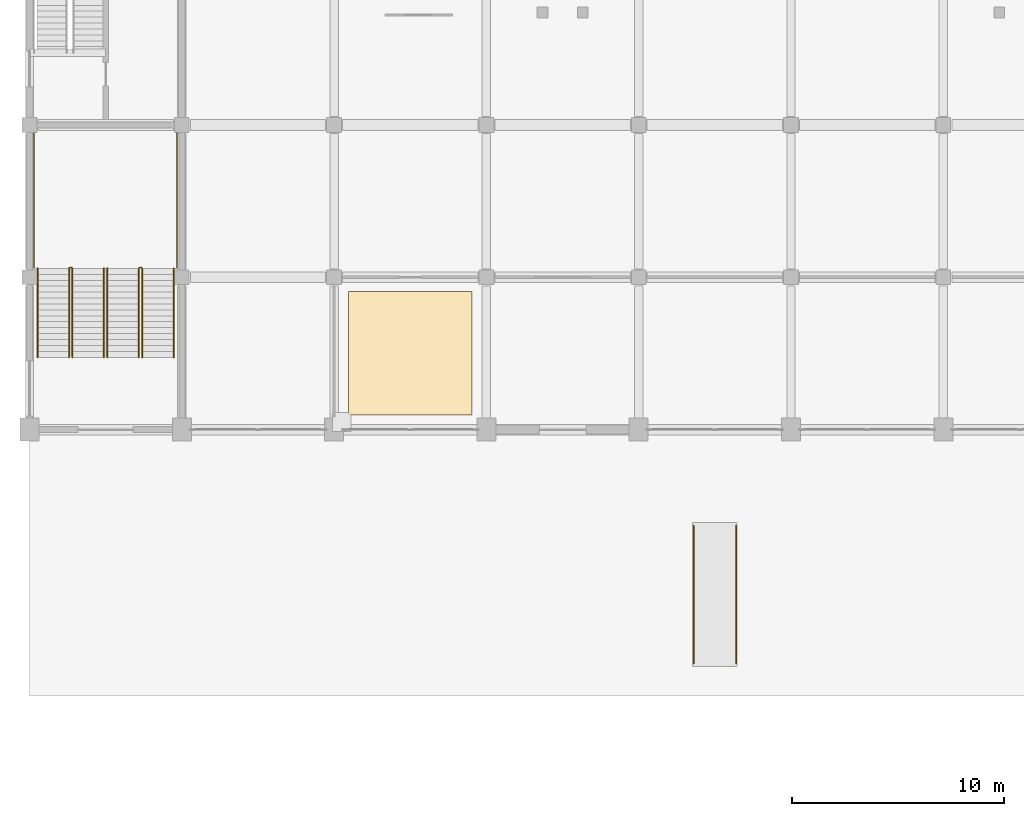
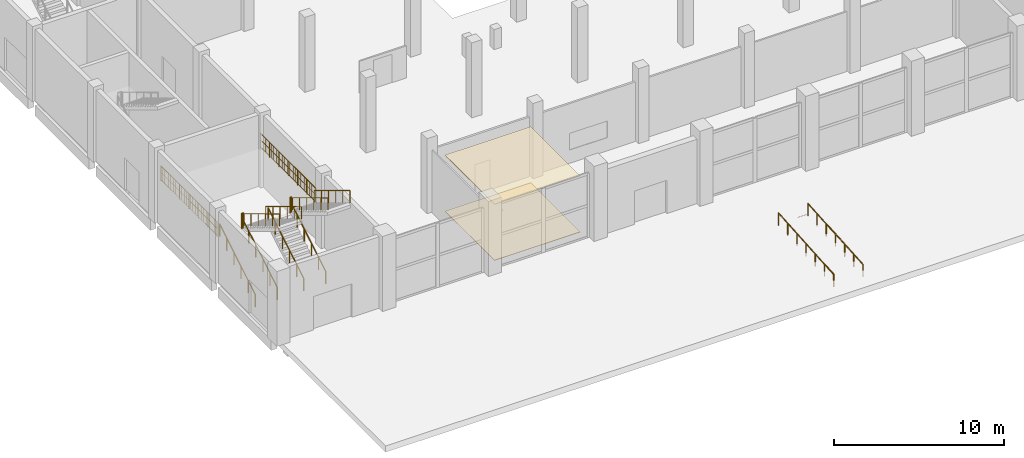
# One storey, part 57 of 70: 14 railings, 2 coverings.
"""IFC4 building model written with IfcOpenShell, lengths in metres."""

import ifcopenshell
import ifcopenshell.guid

model = None  # the IFC model being written
_history = None  # IfcOwnerHistory: only IFC2X3 demands one
_inside = {}  # id of a spatial element -> (the spatial element, [elements in it])
_under = {}  # id of a project, library or spatial element -> (it, [spatial elements below it])
_declared = {}  # id of a project -> (the project, [libraries it declares])
_typed = {}  # id of a type object -> (the type object, [elements of that type])
_made_of = {}  # id of a material, layer set ... -> (it, [elements and type objects made of it])


def new_model(schema):
    """Start an empty IFC model of exactly this schema.

    Asked for "IFC4X3", IfcOpenShell would pick the latest addendum, in which some entities
    have other attributes; the version numbers below select the first issue.
    IFC2X3 requires an IfcOwnerHistory on every rooted entity: one is made here for all.
    """
    global model, _history
    if schema == "IFC4X3":
        model = ifcopenshell.file(schema_version=(4, 3, 0, 0))
    else:
        model = ifcopenshell.file(schema=schema)
    _inside.clear()
    _under.clear()
    _declared.clear()
    _typed.clear()
    _made_of.clear()
    _history = None
    if model.schema == "IFC2X3":
        org = make("IfcOrganization", Name="unknown")
        user = make(
            "IfcPersonAndOrganization",
            ThePerson=make("IfcPerson", FamilyName="unknown"),
            TheOrganization=org,
        )
        app = make(
            "IfcApplication",
            ApplicationDeveloper=org,
            Version="unknown",
            ApplicationFullName="unknown",
            ApplicationIdentifier="unknown",
        )
        _history = make(
            "IfcOwnerHistory",
            OwningUser=user,
            OwningApplication=app,
            ChangeAction="ADDED",
            CreationDate=0,
        )
    return model


def make(cls, **values):
    """One entity of the class cls with the attributes given. An attribute that is None is left unset."""
    return model.create_entity(
        cls, **{name: value for name, value in values.items() if value is not None}
    )


def rooted(cls, **values):
    """An entity with a GlobalId (a new one), such as an element, a storey or a relation."""
    return make(cls, GlobalId=ifcopenshell.guid.new(), OwnerHistory=_history, **values)


def si_unit(unit_type, name, prefix=None):
    """IfcSIUnit, for example si_unit("LENGTHUNIT", "METRE", prefix="MILLI")."""
    return make("IfcSIUnit", UnitType=unit_type, Prefix=prefix, Name=name)


def assignment(units):
    """IfcUnitAssignment: the units of a project."""
    return None if units is None else make("IfcUnitAssignment", Units=units)


def point(xyz):
    """IfcCartesianPoint."""
    return None if xyz is None else make("IfcCartesianPoint", Coordinates=xyz)


def direction(xyz):
    """IfcDirection."""
    return None if xyz is None else make("IfcDirection", DirectionRatios=xyz)


def frame(location, z_axis=None, x_axis=None):
    """IfcAxis2Placement3D, a coordinate frame: its origin and axes. An axis left out is left unset."""
    return make(
        "IfcAxis2Placement3D",
        Location=point(location),
        Axis=direction(z_axis),
        RefDirection=direction(x_axis),
    )


def frame_2d(location, x_axis=None):
    """IfcAxis2Placement2D, a coordinate frame in the plane: its origin and x axis."""
    return make(
        "IfcAxis2Placement2D", Location=point(location), RefDirection=direction(x_axis)
    )


def origin():
    """The frame at (0, 0, 0) with its axes left unset."""
    return frame((0.0, 0.0, 0.0))


def origin_2d():
    """The frame at (0, 0) in the plane with its x axis left unset."""
    return frame_2d((0.0, 0.0))


def place(relative_to, where):
    """IfcLocalPlacement: puts the frame where relative to a parent placement (None: the world)."""
    return make(
        "IfcLocalPlacement", PlacementRelTo=relative_to, RelativePlacement=where
    )


def context(
    kind, dimensions, precision=None, world=None, true_north=None, identifier=None
):
    """IfcGeometricRepresentationContext, for example the 3D "Model" context."""
    return make(
        "IfcGeometricRepresentationContext",
        ContextIdentifier=identifier,
        ContextType=kind,
        CoordinateSpaceDimension=dimensions,
        Precision=precision,
        WorldCoordinateSystem=world,
        TrueNorth=true_north,
    )


def subcontext(parent, identifier, kind, view, scale=None):
    """IfcGeometricRepresentationSubContext, for example "Body" below "Model"."""
    return make(
        "IfcGeometricRepresentationSubContext",
        ContextIdentifier=identifier,
        ContextType=kind,
        ParentContext=parent,
        TargetScale=scale,
        TargetView=view,
    )


def project(units=None, contexts=None):
    """IfcProject with its units and contexts."""
    return rooted(
        "IfcProject",
        Name="project",
        RepresentationContexts=contexts,
        UnitsInContext=assignment(units),
    )


def spatial(cls, under=None, at=None, **own):
    """A site, building, storey or space (cls), placed at a placement, below another one or the project."""
    s = rooted(cls, ObjectPlacement=at, **own)
    if under is not None:
        _under.setdefault(under.id(), (under, []))[1].append(s)
    return s


def polyline(points):
    """IfcPolyline through the points."""
    return make("IfcPolyline", Points=[point(p) for p in points])


def profile(cls, at=None, kind="AREA", **sizes):
    """A parametric profile (cls). Its sizes go by their IFC names, for example OverallWidth=200.0."""
    return make(cls, ProfileType=kind, Position=at, **sizes)


def circle(**sizes):
    """IfcCircleProfileDef."""
    return profile("IfcCircleProfileDef", **sizes)


def outline(outer, holes=None, kind="AREA"):
    """IfcArbitraryClosedProfileDef: a profile drawn as a closed curve; with holes, ...WithVoids."""
    if holes is None:
        return make("IfcArbitraryClosedProfileDef", ProfileType=kind, OuterCurve=outer)
    return make(
        "IfcArbitraryProfileDefWithVoids",
        ProfileType=kind,
        OuterCurve=outer,
        InnerCurves=holes,
    )


def extrude(swept, where, along, depth):
    """IfcExtrudedAreaSolid: the profile swept, set in the frame where, extruded along a direction by depth."""
    return make(
        "IfcExtrudedAreaSolid",
        SweptArea=swept,
        Position=where,
        ExtrudedDirection=direction(along),
        Depth=depth,
    )


def shape(context_of_items, identifier, shape_type, items):
    """IfcShapeRepresentation: the items that make up one representation, for example the "Body"."""
    return make(
        "IfcShapeRepresentation",
        ContextOfItems=context_of_items,
        RepresentationIdentifier=identifier,
        RepresentationType=shape_type,
        Items=items,
    )


def material(Name=None, Category=None):
    """IfcMaterial."""
    return make("IfcMaterial", Name=Name, Category=Category)


def layer(
    of_material, thickness, ventilated=None, Name=None, Category=None, Priority=None
):
    """IfcMaterialLayer: one layer of a wall or slab, of a material (None: an air gap)."""
    return make(
        "IfcMaterialLayer",
        Material=of_material,
        LayerThickness=thickness,
        IsVentilated=ventilated,
        Name=Name,
        Category=Category,
        Priority=Priority,
    )


def layer_set(layers, Name=None):
    """IfcMaterialLayerSet."""
    return make("IfcMaterialLayerSet", MaterialLayers=layers, LayerSetName=Name)


def made_of(thing, what):
    """Note that an element or type object is made of a material, layer set ...; save() writes the relation."""
    if what is not None:
        _made_of.setdefault(what.id(), (what, []))[1].append(thing)
    return thing


def type_object(cls, material=None, **own):
    """A type object (cls), such as IfcWallType, which elements share."""
    return made_of(rooted(cls, **own), material)


def element(
    cls,
    number,
    at=None,
    inside=None,
    cuts=None,
    type_object=None,
    material=None,
    context=None,
    identifier="Body",
    shape_type=None,
    held_by="IfcProductDefinitionShape",
    body=None,
    shapes=None,
    **own,
):
    """One element of the class cls, such as IfcWall. Its Tag is "e" and its number.

    at: its placement. inside: the storey or other place that contains it. cuts: it is an
    opening in that element (IfcRelVoidsElement). A single representation is given by context,
    identifier, shape_type and body (its items); several are given by shapes. held_by: the class
    of the entity that holds the representations. save() writes the other relations.
    """
    e = rooted(cls, Tag="e%d" % number, ObjectPlacement=at, **own)
    if body is not None:
        shapes = [shape(context, identifier, shape_type, body)]
    if shapes is not None:
        e.Representation = make(held_by, Representations=shapes)
    if inside is not None:
        _inside.setdefault(inside.id(), (inside, []))[1].append(e)
    if cuts is not None:
        rooted(
            "IfcRelVoidsElement", RelatingBuildingElement=cuts, RelatedOpeningElement=e
        )
    if type_object is not None:
        _typed.setdefault(type_object.id(), (type_object, []))[1].append(e)
    return made_of(e, material)


def aggregate(whole, parts):
    """IfcRelAggregates: a whole, such as a stair, and the parts it consists of."""
    return rooted("IfcRelAggregates", RelatingObject=whole, RelatedObjects=parts)


def save(model, path):
    """Write the relations noted so far, then the file.

    IfcRelAggregates (storeys below a building ...), IfcRelContainedInSpatialStructure (elements
    in a storey), IfcRelDefinesByType, IfcRelAssociatesMaterial and IfcRelDeclares: one each for
    every whole, place, type object, material and project.
    """
    for whole, parts in _under.values():
        aggregate(whole, parts)
    for where, things in _inside.values():
        rooted(
            "IfcRelContainedInSpatialStructure",
            RelatedElements=things,
            RelatingStructure=where,
        )
    for kind, things in _typed.values():
        rooted("IfcRelDefinesByType", RelatedObjects=things, RelatingType=kind)
    for what, things in _made_of.values():
        rooted("IfcRelAssociatesMaterial", RelatedObjects=things, RelatingMaterial=what)
    for by, libraries in _declared.values():
        rooted("IfcRelDeclares", RelatingContext=by, RelatedDefinitions=libraries)
    model.write(path)


model = new_model("IFC4")

# Units and contexts
model_context = context("Model", 3, precision=1e-05, world=origin(), true_north=direction((0.0, 1.0)))
body_context = subcontext(model_context, "Body", "Model", "MODEL_VIEW")
ifc_project = project(units=[si_unit("LENGTHUNIT", "METRE"), si_unit("AREAUNIT", "SQUARE_METRE"), si_unit("VOLUMEUNIT", "CUBIC_METRE"), si_unit("PLANEANGLEUNIT", "RADIAN"), si_unit("MASSUNIT", "GRAM", prefix="KILO")], contexts=[model_context])

# Site, building, storey
site_placement = place(None, origin())
site = spatial("IfcSite", under=ifc_project, at=site_placement, CompositionType="ELEMENT")
building_placement = place(site_placement, origin())
building = spatial("IfcBuilding", under=site, at=building_placement, Name="Vesperath Aquatics Centre", CompositionType="ELEMENT")
storey_placement = place(building_placement, origin())
storey = spatial("IfcBuildingStorey", under=building, at=storey_placement, Name="L00", CompositionType="ELEMENT", Elevation=0.0)

# Coverings
ifc_material_1 = material(Name="Perforated moisture-resistant acoustic mineral-fibre ceiling", Category="gypsum")
ifc_layer_1 = layer(ifc_material_1, 0.044921875)
ifc_layer_set_1 = layer_set([ifc_layer_1], Name="Perforated moisture-resistant acoustic mineral-fibre ceiling")
covering_type_1 = type_object("IfcCoveringType", Name="CV-CLG01", PredefinedType="CEILING", material=ifc_layer_set_1)
covering_1_placement = place(storey_placement, frame((0.0, 0.0, 4.02490234375)))
element("IfcCovering", 1, at=covering_1_placement, inside=storey, type_object=covering_type_1, Name="Acoustic Suspended Ceiling CLG1 L00_CALL_RM", PredefinedType="CEILING", context=body_context, shape_type="SweptSolid", body=[
    extrude(outline(polyline([(15.080078125, 15.080078125), (20.919921875, 15.080078125), (20.919921875, 20.919921875), (15.080078125, 20.919921875), (15.080078125, 15.080078125)])), origin(), (0.0, 0.0, 1.0), 0.045166015625),
])
ifc_material_2 = material(Name="Slip-resistant vitrified ceramic and terrazzo flooring", Category="ceramic")
ifc_layer_2 = layer(ifc_material_2, 0.030029296875)
ifc_layer_set_2 = layer_set([ifc_layer_2], Name="Slip-resistant vitrified ceramic and terrazzo flooring")
covering_type_2 = type_object("IfcCoveringType", Name="CV-FLR01", PredefinedType="FLOORING", material=ifc_layer_set_2)
covering_2_placement = place(storey_placement, origin())
element("IfcCovering", 2, at=covering_2_placement, inside=storey, type_object=covering_type_2, Name="Slip-Resistant Floor Finish FLR1 L00_CALL_RM", PredefinedType="FLOORING", context=body_context, shape_type="SweptSolid", body=[
    extrude(outline(polyline([(15.080078125, 15.080078125), (20.919921875, 15.080078125), (20.919921875, 20.919921875), (15.080078125, 20.919921875), (15.080078125, 15.080078125)])), origin(), (0.0, 0.0, 1.0), 0.030029296875),
])

# Railings
ifc_material_3 = material(Name="Powder-coated galvanized steel safety guard", Category="steel")
railing_type_1 = type_object("IfcRailingType", Name="RL-GRD01", PredefinedType="GUARDRAIL", material=ifc_material_3)
railing_1_placement = place(storey_placement, frame((1.89990234375, 22.06005859375, 2.699951171875)))
element("IfcRailing", 3, at=railing_1_placement, inside=storey, type_object=railing_type_1, Name="Stair ST10A Half-Landing Slot Guard GR02 L00", PredefinedType="GUARDRAIL", context=body_context, shape_type="SweptSolid", body=[
    extrude(circle(Radius=0.02392578125, at=origin_2d()), frame((0.0, 0.0, 1.0859375), z_axis=(1.0, 0.0, 0.0), x_axis=(0.0, 1.0, 0.0)), (0.0, 0.0, 1.0), 0.10009765625),
    extrude(circle(Radius=0.01611328125, at=origin_2d()), frame((0.0, 0.0, 0.10009765625), z_axis=(1.0, 0.0, 0.0), x_axis=(0.0, 1.0, 0.0)), (0.0, 0.0, 1.0), 0.10009765625),
    extrude(circle(Radius=0.01611328125, at=origin_2d()), frame((0.0, 0.0, 0.610595703125), z_axis=(1.0, 0.0, 0.0), x_axis=(0.0, 1.0, 0.0)), (0.0, 0.0, 1.0), 0.10009765625),
    extrude(circle(Radius=0.009033203125, at=origin_2d()), frame((0.050048828125, 0.0, 0.10009765625)), (0.0, 0.0, 1.0), 0.9619140625),
    extrude(circle(Radius=0.02197265625, at=origin_2d()), origin(), (0.0, 0.0, 1.0), 1.0859375),
    extrude(circle(Radius=0.02197265625, at=origin_2d()), frame((0.10009765625, 0.0, 0.0)), (0.0, 0.0, 1.0), 1.0859375),
])
railing_2_placement = place(storey_placement, frame((0.219970703125, 22.06005859375, 2.699951171875)))
element("IfcRailing", 4, at=railing_2_placement, inside=storey, type_object=railing_type_1, Name="Stair ST10A Half-Landing Wall Guard GR02 L00", PredefinedType="GUARDRAIL", context=body_context, shape_type="SweptSolid", body=[
    extrude(circle(Radius=0.02392578125, at=origin_2d()), frame((0.0, 0.0, 1.0859375), z_axis=(0.0, 1.0, 0.0), x_axis=(-1.0, 0.0, 0.0)), (0.0, 0.0, 1.0), 6.60986328125),
    extrude(circle(Radius=0.01611328125, at=origin_2d()), frame((0.0, 0.0, 0.10009765625), z_axis=(0.0, 1.0, 0.0), x_axis=(-1.0, 0.0, 0.0)), (0.0, 0.0, 1.0), 6.60986328125),
    extrude(circle(Radius=0.01611328125, at=origin_2d()), frame((0.0, 0.0, 0.610595703125), z_axis=(0.0, 1.0, 0.0), x_axis=(-1.0, 0.0, 0.0)), (0.0, 0.0, 1.0), 6.60986328125),
    extrude(circle(Radius=0.009033203125, at=origin_2d()), frame((0.0, 0.1083984375, 0.10009765625)), (0.0, 0.0, 1.0), 0.9619140625),
    extrude(circle(Radius=0.009033203125, at=origin_2d()), frame((0.0, 0.3251953125, 0.10009765625)), (0.0, 0.0, 1.0), 0.9619140625),
    extrude(circle(Radius=0.009033203125, at=origin_2d()), frame((0.0, 0.541748046875, 0.10009765625)), (0.0, 0.0, 1.0), 0.9619140625),
    extrude(circle(Radius=0.009033203125, at=origin_2d()), frame((0.0, 0.758544921875, 0.10009765625)), (0.0, 0.0, 1.0), 0.9619140625),
    extrude(circle(Radius=0.009033203125, at=origin_2d()), frame((0.0, 0.975341796875, 0.10009765625)), (0.0, 0.0, 1.0), 0.9619140625),
    extrude(circle(Radius=0.009033203125, at=origin_2d()), frame((0.0, 1.19189453125, 0.10009765625)), (0.0, 0.0, 1.0), 0.9619140625),
    extrude(circle(Radius=0.009033203125, at=origin_2d()), frame((0.0, 1.40869140625, 0.10009765625)), (0.0, 0.0, 1.0), 0.9619140625),
    extrude(circle(Radius=0.009033203125, at=origin_2d()), frame((0.0, 1.62548828125, 0.10009765625)), (0.0, 0.0, 1.0), 0.9619140625),
    extrude(circle(Radius=0.009033203125, at=origin_2d()), frame((0.0, 1.842041015625, 0.10009765625)), (0.0, 0.0, 1.0), 0.9619140625),
    extrude(circle(Radius=0.009033203125, at=origin_2d()), frame((0.0, 2.058837890625, 0.10009765625)), (0.0, 0.0, 1.0), 0.9619140625),
    extrude(circle(Radius=0.009033203125, at=origin_2d()), frame((0.0, 2.275634765625, 0.10009765625)), (0.0, 0.0, 1.0), 0.9619140625),
    extrude(circle(Radius=0.009033203125, at=origin_2d()), frame((0.0, 2.4921875, 0.10009765625)), (0.0, 0.0, 1.0), 0.9619140625),
    extrude(circle(Radius=0.009033203125, at=origin_2d()), frame((0.0, 2.708984375, 0.10009765625)), (0.0, 0.0, 1.0), 0.9619140625),
    extrude(circle(Radius=0.009033203125, at=origin_2d()), frame((0.0, 2.92578125, 0.10009765625)), (0.0, 0.0, 1.0), 0.9619140625),
    extrude(circle(Radius=0.009033203125, at=origin_2d()), frame((0.0, 3.142333984375, 0.10009765625)), (0.0, 0.0, 1.0), 0.9619140625),
    extrude(circle(Radius=0.009033203125, at=origin_2d()), frame((0.0, 3.359130859375, 0.10009765625)), (0.0, 0.0, 1.0), 0.9619140625),
    extrude(circle(Radius=0.009033203125, at=origin_2d()), frame((0.0, 3.575927734375, 0.10009765625)), (0.0, 0.0, 1.0), 0.9619140625),
    extrude(circle(Radius=0.009033203125, at=origin_2d()), frame((0.0, 3.79248046875, 0.10009765625)), (0.0, 0.0, 1.0), 0.9619140625),
    extrude(circle(Radius=0.009033203125, at=origin_2d()), frame((0.0, 4.00927734375, 0.10009765625)), (0.0, 0.0, 1.0), 0.9619140625),
    extrude(circle(Radius=0.009033203125, at=origin_2d()), frame((0.0, 4.22607421875, 0.10009765625)), (0.0, 0.0, 1.0), 0.9619140625),
    extrude(circle(Radius=0.009033203125, at=origin_2d()), frame((0.0, 4.442626953125, 0.10009765625)), (0.0, 0.0, 1.0), 0.9619140625),
    extrude(circle(Radius=0.009033203125, at=origin_2d()), frame((0.0, 4.659423828125, 0.10009765625)), (0.0, 0.0, 1.0), 0.9619140625),
    extrude(circle(Radius=0.009033203125, at=origin_2d()), frame((0.0, 4.876220703125, 0.10009765625)), (0.0, 0.0, 1.0), 0.9619140625),
    extrude(circle(Radius=0.009033203125, at=origin_2d()), frame((0.0, 5.0927734375, 0.10009765625)), (0.0, 0.0, 1.0), 0.9619140625),
    extrude(circle(Radius=0.009033203125, at=origin_2d()), frame((0.0, 5.3095703125, 0.10009765625)), (0.0, 0.0, 1.0), 0.9619140625),
    extrude(circle(Radius=0.009033203125, at=origin_2d()), frame((0.0, 5.5263671875, 0.10009765625)), (0.0, 0.0, 1.0), 0.9619140625),
    extrude(circle(Radius=0.009033203125, at=origin_2d()), frame((0.0, 5.742919921875, 0.10009765625)), (0.0, 0.0, 1.0), 0.9619140625),
    extrude(circle(Radius=0.009033203125, at=origin_2d()), frame((0.0, 5.959716796875, 0.10009765625)), (0.0, 0.0, 1.0), 0.9619140625),
    extrude(circle(Radius=0.009033203125, at=origin_2d()), frame((0.0, 6.176513671875, 0.10009765625)), (0.0, 0.0, 1.0), 0.9619140625),
    extrude(circle(Radius=0.009033203125, at=origin_2d()), frame((0.0, 6.39306640625, 0.10009765625)), (0.0, 0.0, 1.0), 0.9619140625),
    extrude(circle(Radius=0.02197265625, at=origin_2d()), origin(), (0.0, 0.0, 1.0), 1.0859375),
    extrude(circle(Radius=0.02197265625, at=origin_2d()), frame((0.0, 1.1015625, 0.0)), (0.0, 0.0, 1.0), 1.0859375),
    extrude(circle(Radius=0.02197265625, at=origin_2d()), frame((0.0, 2.203369140625, 0.0)), (0.0, 0.0, 1.0), 1.0859375),
    extrude(circle(Radius=0.02197265625, at=origin_2d()), frame((0.0, 3.304931640625, 0.0)), (0.0, 0.0, 1.0), 1.0859375),
    extrude(circle(Radius=0.02197265625, at=origin_2d()), frame((0.0, 4.406494140625, 0.0)), (0.0, 0.0, 1.0), 1.0859375),
    extrude(circle(Radius=0.02197265625, at=origin_2d()), frame((0.0, 5.50830078125, 0.0)), (0.0, 0.0, 1.0), 1.0859375),
    extrude(circle(Radius=0.02197265625, at=origin_2d()), frame((0.0, 6.60986328125, 0.0)), (0.0, 0.0, 1.0), 1.0859375),
])
railing_3_placement = place(storey_placement, frame((5.199951171875, 22.06005859375, 2.699951171875)))
element("IfcRailing", 5, at=railing_3_placement, inside=storey, type_object=railing_type_1, Name="Stair ST10B Half-Landing Slot Guard GR02 L00", PredefinedType="GUARDRAIL", context=body_context, shape_type="SweptSolid", body=[
    extrude(circle(Radius=0.02392578125, at=origin_2d()), frame((0.0, 0.0, 1.0859375), z_axis=(1.0, 0.0, 0.0), x_axis=(0.0, 1.0, 0.0)), (0.0, 0.0, 1.0), 0.10009765625),
    extrude(circle(Radius=0.01611328125, at=origin_2d()), frame((0.0, 0.0, 0.10009765625), z_axis=(1.0, 0.0, 0.0), x_axis=(0.0, 1.0, 0.0)), (0.0, 0.0, 1.0), 0.10009765625),
    extrude(circle(Radius=0.01611328125, at=origin_2d()), frame((0.0, 0.0, 0.610595703125), z_axis=(1.0, 0.0, 0.0), x_axis=(0.0, 1.0, 0.0)), (0.0, 0.0, 1.0), 0.10009765625),
    extrude(circle(Radius=0.009033203125, at=origin_2d()), frame((0.050048828125, 0.0, 0.10009765625)), (0.0, 0.0, 1.0), 0.9619140625),
    extrude(circle(Radius=0.02197265625, at=origin_2d()), origin(), (0.0, 0.0, 1.0), 1.0859375),
    extrude(circle(Radius=0.02197265625, at=origin_2d()), frame((0.10009765625, 0.0, 0.0)), (0.0, 0.0, 1.0), 1.0859375),
])
railing_4_placement = place(storey_placement, frame((6.97998046875, 22.06005859375, 2.699951171875)))
element("IfcRailing", 6, at=railing_4_placement, inside=storey, type_object=railing_type_1, Name="Stair ST10B Half-Landing Wall Guard GR02 L00", PredefinedType="GUARDRAIL", context=body_context, shape_type="SweptSolid", body=[
    extrude(circle(Radius=0.02392578125, at=origin_2d()), frame((0.0, 0.0, 1.0859375), z_axis=(0.0, 1.0, 0.0), x_axis=(-1.0, 0.0, 0.0)), (0.0, 0.0, 1.0), 6.60986328125),
    extrude(circle(Radius=0.01611328125, at=origin_2d()), frame((0.0, 0.0, 0.10009765625), z_axis=(0.0, 1.0, 0.0), x_axis=(-1.0, 0.0, 0.0)), (0.0, 0.0, 1.0), 6.60986328125),
    extrude(circle(Radius=0.01611328125, at=origin_2d()), frame((0.0, 0.0, 0.610595703125), z_axis=(0.0, 1.0, 0.0), x_axis=(-1.0, 0.0, 0.0)), (0.0, 0.0, 1.0), 6.60986328125),
    extrude(circle(Radius=0.009033203125, at=origin_2d()), frame((0.0, 0.1083984375, 0.10009765625)), (0.0, 0.0, 1.0), 0.9619140625),
    extrude(circle(Radius=0.009033203125, at=origin_2d()), frame((0.0, 0.3251953125, 0.10009765625)), (0.0, 0.0, 1.0), 0.9619140625),
    extrude(circle(Radius=0.009033203125, at=origin_2d()), frame((0.0, 0.541748046875, 0.10009765625)), (0.0, 0.0, 1.0), 0.9619140625),
    extrude(circle(Radius=0.009033203125, at=origin_2d()), frame((0.0, 0.758544921875, 0.10009765625)), (0.0, 0.0, 1.0), 0.9619140625),
    extrude(circle(Radius=0.009033203125, at=origin_2d()), frame((0.0, 0.975341796875, 0.10009765625)), (0.0, 0.0, 1.0), 0.9619140625),
    extrude(circle(Radius=0.009033203125, at=origin_2d()), frame((0.0, 1.19189453125, 0.10009765625)), (0.0, 0.0, 1.0), 0.9619140625),
    extrude(circle(Radius=0.009033203125, at=origin_2d()), frame((0.0, 1.40869140625, 0.10009765625)), (0.0, 0.0, 1.0), 0.9619140625),
    extrude(circle(Radius=0.009033203125, at=origin_2d()), frame((0.0, 1.62548828125, 0.10009765625)), (0.0, 0.0, 1.0), 0.9619140625),
    extrude(circle(Radius=0.009033203125, at=origin_2d()), frame((0.0, 1.842041015625, 0.10009765625)), (0.0, 0.0, 1.0), 0.9619140625),
    extrude(circle(Radius=0.009033203125, at=origin_2d()), frame((0.0, 2.058837890625, 0.10009765625)), (0.0, 0.0, 1.0), 0.9619140625),
    extrude(circle(Radius=0.009033203125, at=origin_2d()), frame((0.0, 2.275634765625, 0.10009765625)), (0.0, 0.0, 1.0), 0.9619140625),
    extrude(circle(Radius=0.009033203125, at=origin_2d()), frame((0.0, 2.4921875, 0.10009765625)), (0.0, 0.0, 1.0), 0.9619140625),
    extrude(circle(Radius=0.009033203125, at=origin_2d()), frame((0.0, 2.708984375, 0.10009765625)), (0.0, 0.0, 1.0), 0.9619140625),
    extrude(circle(Radius=0.009033203125, at=origin_2d()), frame((0.0, 2.92578125, 0.10009765625)), (0.0, 0.0, 1.0), 0.9619140625),
    extrude(circle(Radius=0.009033203125, at=origin_2d()), frame((0.0, 3.142333984375, 0.10009765625)), (0.0, 0.0, 1.0), 0.9619140625),
    extrude(circle(Radius=0.009033203125, at=origin_2d()), frame((0.0, 3.359130859375, 0.10009765625)), (0.0, 0.0, 1.0), 0.9619140625),
    extrude(circle(Radius=0.009033203125, at=origin_2d()), frame((0.0, 3.575927734375, 0.10009765625)), (0.0, 0.0, 1.0), 0.9619140625),
    extrude(circle(Radius=0.009033203125, at=origin_2d()), frame((0.0, 3.79248046875, 0.10009765625)), (0.0, 0.0, 1.0), 0.9619140625),
    extrude(circle(Radius=0.009033203125, at=origin_2d()), frame((0.0, 4.00927734375, 0.10009765625)), (0.0, 0.0, 1.0), 0.9619140625),
    extrude(circle(Radius=0.009033203125, at=origin_2d()), frame((0.0, 4.22607421875, 0.10009765625)), (0.0, 0.0, 1.0), 0.9619140625),
    extrude(circle(Radius=0.009033203125, at=origin_2d()), frame((0.0, 4.442626953125, 0.10009765625)), (0.0, 0.0, 1.0), 0.9619140625),
    extrude(circle(Radius=0.009033203125, at=origin_2d()), frame((0.0, 4.659423828125, 0.10009765625)), (0.0, 0.0, 1.0), 0.9619140625),
    extrude(circle(Radius=0.009033203125, at=origin_2d()), frame((0.0, 4.876220703125, 0.10009765625)), (0.0, 0.0, 1.0), 0.9619140625),
    extrude(circle(Radius=0.009033203125, at=origin_2d()), frame((0.0, 5.0927734375, 0.10009765625)), (0.0, 0.0, 1.0), 0.9619140625),
    extrude(circle(Radius=0.009033203125, at=origin_2d()), frame((0.0, 5.3095703125, 0.10009765625)), (0.0, 0.0, 1.0), 0.9619140625),
    extrude(circle(Radius=0.009033203125, at=origin_2d()), frame((0.0, 5.5263671875, 0.10009765625)), (0.0, 0.0, 1.0), 0.9619140625),
    extrude(circle(Radius=0.009033203125, at=origin_2d()), frame((0.0, 5.742919921875, 0.10009765625)), (0.0, 0.0, 1.0), 0.9619140625),
    extrude(circle(Radius=0.009033203125, at=origin_2d()), frame((0.0, 5.959716796875, 0.10009765625)), (0.0, 0.0, 1.0), 0.9619140625),
    extrude(circle(Radius=0.009033203125, at=origin_2d()), frame((0.0, 6.176513671875, 0.10009765625)), (0.0, 0.0, 1.0), 0.9619140625),
    extrude(circle(Radius=0.009033203125, at=origin_2d()), frame((0.0, 6.39306640625, 0.10009765625)), (0.0, 0.0, 1.0), 0.9619140625),
    extrude(circle(Radius=0.02197265625, at=origin_2d()), origin(), (0.0, 0.0, 1.0), 1.0859375),
    extrude(circle(Radius=0.02197265625, at=origin_2d()), frame((0.0, 1.1015625, 0.0)), (0.0, 0.0, 1.0), 1.0859375),
    extrude(circle(Radius=0.02197265625, at=origin_2d()), frame((0.0, 2.203369140625, 0.0)), (0.0, 0.0, 1.0), 1.0859375),
    extrude(circle(Radius=0.02197265625, at=origin_2d()), frame((0.0, 3.304931640625, 0.0)), (0.0, 0.0, 1.0), 1.0859375),
    extrude(circle(Radius=0.02197265625, at=origin_2d()), frame((0.0, 4.406494140625, 0.0)), (0.0, 0.0, 1.0), 1.0859375),
    extrude(circle(Radius=0.02197265625, at=origin_2d()), frame((0.0, 5.50830078125, 0.0)), (0.0, 0.0, 1.0), 1.0859375),
    extrude(circle(Radius=0.02197265625, at=origin_2d()), frame((0.0, 6.60986328125, 0.0)), (0.0, 0.0, 1.0), 1.0859375),
])
ifc_material_4 = material(Name="Brushed stainless steel tubular handrail", Category="steel")
railing_type_2 = type_object("IfcRailingType", Name="RL-HND01", PredefinedType="HANDRAIL", material=ifc_material_4)
railing_5_placement = place(storey_placement, frame((1.8701171875, 17.820068359375, 0.168701171875)))
element("IfcRailing", 7, at=railing_5_placement, inside=storey, type_object=railing_type_2, Name="Stair ST10A Flight 1 Handrail HR01 L00", PredefinedType="HANDRAIL", context=body_context, shape_type="SweptSolid", body=[
    extrude(circle(Radius=0.02392578125, at=origin_2d()), frame((0.0, 0.0, 0.8759765625), z_axis=(0.0, 0.856476492594, 0.516186030065), x_axis=(-1.0, 0.0, 0.0)), (0.0, 0.0, 1.0), 4.90380859375),
    extrude(circle(Radius=0.02197265625, at=origin_2d()), origin(), (0.0, 0.0, 1.0), 0.8759765625),
    extrude(circle(Radius=0.02197265625, at=origin_2d()), frame((0.0, 0.840087890625, 0.50634765625)), (0.0, 0.0, 1.0), 0.8759765625),
    extrude(circle(Radius=0.02197265625, at=origin_2d()), frame((0.0, 1.679931640625, 1.012451171875)), (0.0, 0.0, 1.0), 0.8759765625),
    extrude(circle(Radius=0.02197265625, at=origin_2d()), frame((0.0, 2.52001953125, 1.518798828125)), (0.0, 0.0, 1.0), 0.8759765625),
    extrude(circle(Radius=0.02197265625, at=origin_2d()), frame((0.0, 3.35986328125, 2.02490234375)), (0.0, 0.0, 1.0), 0.8759765625),
    extrude(circle(Radius=0.02197265625, at=origin_2d()), frame((0.0, 4.199951171875, 2.53125)), (0.0, 0.0, 1.0), 0.8759765625),
])
railing_6_placement = place(storey_placement, frame((2.030029296875, 22.02001953125, 2.86865234375)))
element("IfcRailing", 8, at=railing_6_placement, inside=storey, type_object=railing_type_2, Name="Stair ST10A Flight 2 Handrail HR01 L00", PredefinedType="HANDRAIL", context=body_context, shape_type="SweptSolid", body=[
    extrude(circle(Radius=0.02392578125, at=origin_2d()), frame((0.0, 0.0, 0.8759765625), z_axis=(0.0, -0.856476492594, 0.516186030065), x_axis=(1.0, 0.0, 0.0)), (0.0, 0.0, 1.0), 4.90380859375),
    extrude(circle(Radius=0.02197265625, at=origin_2d()), origin(), (0.0, 0.0, 1.0), 0.8759765625),
    extrude(circle(Radius=0.02197265625, at=origin_2d()), frame((0.0, -0.840087890625, 0.50634765625)), (0.0, 0.0, 1.0), 0.8759765625),
    extrude(circle(Radius=0.02197265625, at=origin_2d()), frame((0.0, -1.679931640625, 1.012451171875)), (0.0, 0.0, 1.0), 0.8759765625),
    extrude(circle(Radius=0.02197265625, at=origin_2d()), frame((0.0, -2.52001953125, 1.518798828125)), (0.0, 0.0, 1.0), 0.8759765625),
    extrude(circle(Radius=0.02197265625, at=origin_2d()), frame((0.0, -3.35986328125, 2.02490234375)), (0.0, 0.0, 1.0), 0.8759765625),
    extrude(circle(Radius=0.02197265625, at=origin_2d()), frame((0.0, -4.199951171875, 2.53125)), (0.0, 0.0, 1.0), 0.8759765625),
])
railing_7_placement = place(storey_placement, frame((0.3798828125, 17.820068359375, 0.168701171875)))
element("IfcRailing", 9, at=railing_7_placement, inside=storey, type_object=railing_type_2, Name="Stair ST10A Flight 1 Handrail HR01 L00", PredefinedType="HANDRAIL", context=body_context, shape_type="SweptSolid", body=[
    extrude(circle(Radius=0.02392578125, at=origin_2d()), frame((0.0, 0.0, 0.8759765625), z_axis=(0.0, 0.856476492594, 0.516186030065), x_axis=(-1.0, 0.0, 0.0)), (0.0, 0.0, 1.0), 4.90380859375),
    extrude(circle(Radius=0.02197265625, at=origin_2d()), origin(), (0.0, 0.0, 1.0), 0.8759765625),
    extrude(circle(Radius=0.02197265625, at=origin_2d()), frame((0.0, 0.840087890625, 0.50634765625)), (0.0, 0.0, 1.0), 0.8759765625),
    extrude(circle(Radius=0.02197265625, at=origin_2d()), frame((0.0, 1.679931640625, 1.012451171875)), (0.0, 0.0, 1.0), 0.8759765625),
    extrude(circle(Radius=0.02197265625, at=origin_2d()), frame((0.0, 2.52001953125, 1.518798828125)), (0.0, 0.0, 1.0), 0.8759765625),
    extrude(circle(Radius=0.02197265625, at=origin_2d()), frame((0.0, 3.35986328125, 2.02490234375)), (0.0, 0.0, 1.0), 0.8759765625),
    extrude(circle(Radius=0.02197265625, at=origin_2d()), frame((0.0, 4.199951171875, 2.53125)), (0.0, 0.0, 1.0), 0.8759765625),
])
railing_8_placement = place(storey_placement, frame((3.52001953125, 22.02001953125, 2.86865234375)))
element("IfcRailing", 10, at=railing_8_placement, inside=storey, type_object=railing_type_2, Name="Stair ST10A Flight 2 Handrail HR01 L00", PredefinedType="HANDRAIL", context=body_context, shape_type="SweptSolid", body=[
    extrude(circle(Radius=0.02392578125, at=origin_2d()), frame((0.0, 0.0, 0.8759765625), z_axis=(0.0, -0.856476492594, 0.516186030065), x_axis=(1.0, 0.0, 0.0)), (0.0, 0.0, 1.0), 4.90380859375),
    extrude(circle(Radius=0.02197265625, at=origin_2d()), origin(), (0.0, 0.0, 1.0), 0.8759765625),
    extrude(circle(Radius=0.02197265625, at=origin_2d()), frame((0.0, -0.840087890625, 0.50634765625)), (0.0, 0.0, 1.0), 0.8759765625),
    extrude(circle(Radius=0.02197265625, at=origin_2d()), frame((0.0, -1.679931640625, 1.012451171875)), (0.0, 0.0, 1.0), 0.8759765625),
    extrude(circle(Radius=0.02197265625, at=origin_2d()), frame((0.0, -2.52001953125, 1.518798828125)), (0.0, 0.0, 1.0), 0.8759765625),
    extrude(circle(Radius=0.02197265625, at=origin_2d()), frame((0.0, -3.35986328125, 2.02490234375)), (0.0, 0.0, 1.0), 0.8759765625),
    extrude(circle(Radius=0.02197265625, at=origin_2d()), frame((0.0, -4.199951171875, 2.53125)), (0.0, 0.0, 1.0), 0.8759765625),
])
railing_9_placement = place(storey_placement, frame((5.169921875, 17.820068359375, 0.168701171875)))
element("IfcRailing", 11, at=railing_9_placement, inside=storey, type_object=railing_type_2, Name="Stair ST10B Flight 1 Handrail HR01 L00", PredefinedType="HANDRAIL", context=body_context, shape_type="SweptSolid", body=[
    extrude(circle(Radius=0.02392578125, at=origin_2d()), frame((0.0, 0.0, 0.8759765625), z_axis=(0.0, 0.856476492594, 0.516186030065), x_axis=(-1.0, 0.0, 0.0)), (0.0, 0.0, 1.0), 4.90380859375),
    extrude(circle(Radius=0.02197265625, at=origin_2d()), origin(), (0.0, 0.0, 1.0), 0.8759765625),
    extrude(circle(Radius=0.02197265625, at=origin_2d()), frame((0.0, 0.840087890625, 0.50634765625)), (0.0, 0.0, 1.0), 0.8759765625),
    extrude(circle(Radius=0.02197265625, at=origin_2d()), frame((0.0, 1.679931640625, 1.012451171875)), (0.0, 0.0, 1.0), 0.8759765625),
    extrude(circle(Radius=0.02197265625, at=origin_2d()), frame((0.0, 2.52001953125, 1.518798828125)), (0.0, 0.0, 1.0), 0.8759765625),
    extrude(circle(Radius=0.02197265625, at=origin_2d()), frame((0.0, 3.35986328125, 2.02490234375)), (0.0, 0.0, 1.0), 0.8759765625),
    extrude(circle(Radius=0.02197265625, at=origin_2d()), frame((0.0, 4.199951171875, 2.53125)), (0.0, 0.0, 1.0), 0.8759765625),
])
railing_10_placement = place(storey_placement, frame((5.330078125, 22.02001953125, 2.86865234375)))
element("IfcRailing", 12, at=railing_10_placement, inside=storey, type_object=railing_type_2, Name="Stair ST10B Flight 2 Handrail HR01 L00", PredefinedType="HANDRAIL", context=body_context, shape_type="SweptSolid", body=[
    extrude(circle(Radius=0.02392578125, at=origin_2d()), frame((0.0, 0.0, 0.8759765625), z_axis=(0.0, -0.856476492594, 0.516186030065), x_axis=(1.0, 0.0, 0.0)), (0.0, 0.0, 1.0), 4.90380859375),
    extrude(circle(Radius=0.02197265625, at=origin_2d()), origin(), (0.0, 0.0, 1.0), 0.8759765625),
    extrude(circle(Radius=0.02197265625, at=origin_2d()), frame((0.0, -0.840087890625, 0.50634765625)), (0.0, 0.0, 1.0), 0.8759765625),
    extrude(circle(Radius=0.02197265625, at=origin_2d()), frame((0.0, -1.679931640625, 1.012451171875)), (0.0, 0.0, 1.0), 0.8759765625),
    extrude(circle(Radius=0.02197265625, at=origin_2d()), frame((0.0, -2.52001953125, 1.518798828125)), (0.0, 0.0, 1.0), 0.8759765625),
    extrude(circle(Radius=0.02197265625, at=origin_2d()), frame((0.0, -3.35986328125, 2.02490234375)), (0.0, 0.0, 1.0), 0.8759765625),
    extrude(circle(Radius=0.02197265625, at=origin_2d()), frame((0.0, -4.199951171875, 2.53125)), (0.0, 0.0, 1.0), 0.8759765625),
])
railing_11_placement = place(storey_placement, frame((3.679931640625, 17.820068359375, 0.168701171875)))
element("IfcRailing", 13, at=railing_11_placement, inside=storey, type_object=railing_type_2, Name="Stair ST10B Flight 1 Handrail HR01 L00", PredefinedType="HANDRAIL", context=body_context, shape_type="SweptSolid", body=[
    extrude(circle(Radius=0.02392578125, at=origin_2d()), frame((0.0, 0.0, 0.8759765625), z_axis=(0.0, 0.856476492594, 0.516186030065), x_axis=(-1.0, 0.0, 0.0)), (0.0, 0.0, 1.0), 4.90380859375),
    extrude(circle(Radius=0.02197265625, at=origin_2d()), origin(), (0.0, 0.0, 1.0), 0.8759765625),
    extrude(circle(Radius=0.02197265625, at=origin_2d()), frame((0.0, 0.840087890625, 0.50634765625)), (0.0, 0.0, 1.0), 0.8759765625),
    extrude(circle(Radius=0.02197265625, at=origin_2d()), frame((0.0, 1.679931640625, 1.012451171875)), (0.0, 0.0, 1.0), 0.8759765625),
    extrude(circle(Radius=0.02197265625, at=origin_2d()), frame((0.0, 2.52001953125, 1.518798828125)), (0.0, 0.0, 1.0), 0.8759765625),
    extrude(circle(Radius=0.02197265625, at=origin_2d()), frame((0.0, 3.35986328125, 2.02490234375)), (0.0, 0.0, 1.0), 0.8759765625),
    extrude(circle(Radius=0.02197265625, at=origin_2d()), frame((0.0, 4.199951171875, 2.53125)), (0.0, 0.0, 1.0), 0.8759765625),
])
railing_12_placement = place(storey_placement, frame((6.820068359375, 22.02001953125, 2.86865234375)))
element("IfcRailing", 14, at=railing_12_placement, inside=storey, type_object=railing_type_2, Name="Stair ST10B Flight 2 Handrail HR01 L00", PredefinedType="HANDRAIL", context=body_context, shape_type="SweptSolid", body=[
    extrude(circle(Radius=0.02392578125, at=origin_2d()), frame((0.0, 0.0, 0.8759765625), z_axis=(0.0, -0.856476492594, 0.516186030065), x_axis=(1.0, 0.0, 0.0)), (0.0, 0.0, 1.0), 4.90380859375),
    extrude(circle(Radius=0.02197265625, at=origin_2d()), origin(), (0.0, 0.0, 1.0), 0.8759765625),
    extrude(circle(Radius=0.02197265625, at=origin_2d()), frame((0.0, -0.840087890625, 0.50634765625)), (0.0, 0.0, 1.0), 0.8759765625),
    extrude(circle(Radius=0.02197265625, at=origin_2d()), frame((0.0, -1.679931640625, 1.012451171875)), (0.0, 0.0, 1.0), 0.8759765625),
    extrude(circle(Radius=0.02197265625, at=origin_2d()), frame((0.0, -2.52001953125, 1.518798828125)), (0.0, 0.0, 1.0), 0.8759765625),
    extrude(circle(Radius=0.02197265625, at=origin_2d()), frame((0.0, -3.35986328125, 2.02490234375)), (0.0, 0.0, 1.0), 0.8759765625),
    extrude(circle(Radius=0.02197265625, at=origin_2d()), frame((0.0, -4.199951171875, 2.53125)), (0.0, 0.0, 1.0), 0.8759765625),
])
ifc_material_5 = material(Name="Brushed stainless steel ramp handrail", Category="steel")
railing_type_3 = type_object("IfcRailingType", Name="RL-HND02", PredefinedType="HANDRAIL", material=ifc_material_5)
for number, where, name in (
    (15, (31.39990234375, 3.35009765625, -0.449951171875), "Accessible Ramp Handrail HR02 RMP_V1_S-L"),
    (16, (33.39990234375, 3.35009765625, -0.449951171875), "Accessible Ramp Handrail HR02 RMP_V1_S-R"),
):
    element("IfcRailing", number, at=place(storey_placement, frame(where)), inside=storey, type_object=railing_type_3, Name=name, PredefinedType="HANDRAIL", context=body_context, shape_type="SweptSolid", body=[
        extrude(circle(Radius=0.02392578125, at=origin_2d()), frame((0.0, 0.0, 0.8759765625), z_axis=(0.0, 0.997612646808, 0.069057996847), x_axis=(-1.0, 0.0, 0.0)), (0.0, 0.0, 1.0), 6.515625),
        extrude(circle(Radius=0.02197265625, at=origin_2d()), origin(), (0.0, 0.0, 1.0), 0.8759765625),
        extrude(circle(Radius=0.02197265625, at=origin_2d()), frame((0.0, 1.083251953125, 0.074951171875)), (0.0, 0.0, 1.0), 0.8759765625),
        extrude(circle(Radius=0.02197265625, at=origin_2d()), frame((0.0, 2.166748046875, 0.14990234375)), (0.0, 0.0, 1.0), 0.8759765625),
        extrude(circle(Radius=0.02197265625, at=origin_2d()), frame((0.0, 3.25, 0.22509765625)), (0.0, 0.0, 1.0), 0.8759765625),
        extrude(circle(Radius=0.02197265625, at=origin_2d()), frame((0.0, 4.333251953125, 0.300048828125)), (0.0, 0.0, 1.0), 0.8759765625),
        extrude(circle(Radius=0.02197265625, at=origin_2d()), frame((0.0, 5.416748046875, 0.375)), (0.0, 0.0, 1.0), 0.8759765625),
        extrude(circle(Radius=0.02197265625, at=origin_2d()), frame((0.0, 6.5, 0.449951171875)), (0.0, 0.0, 1.0), 0.8759765625),
    ])

save(model, "model.ifc")
